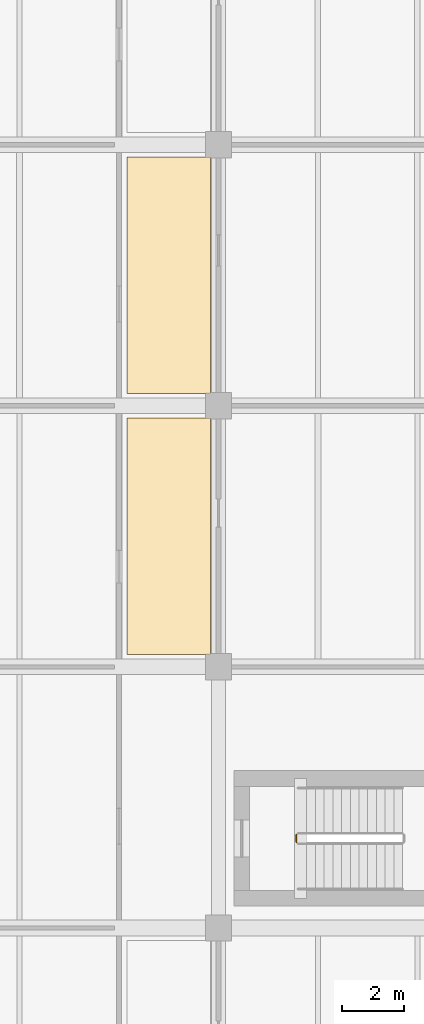
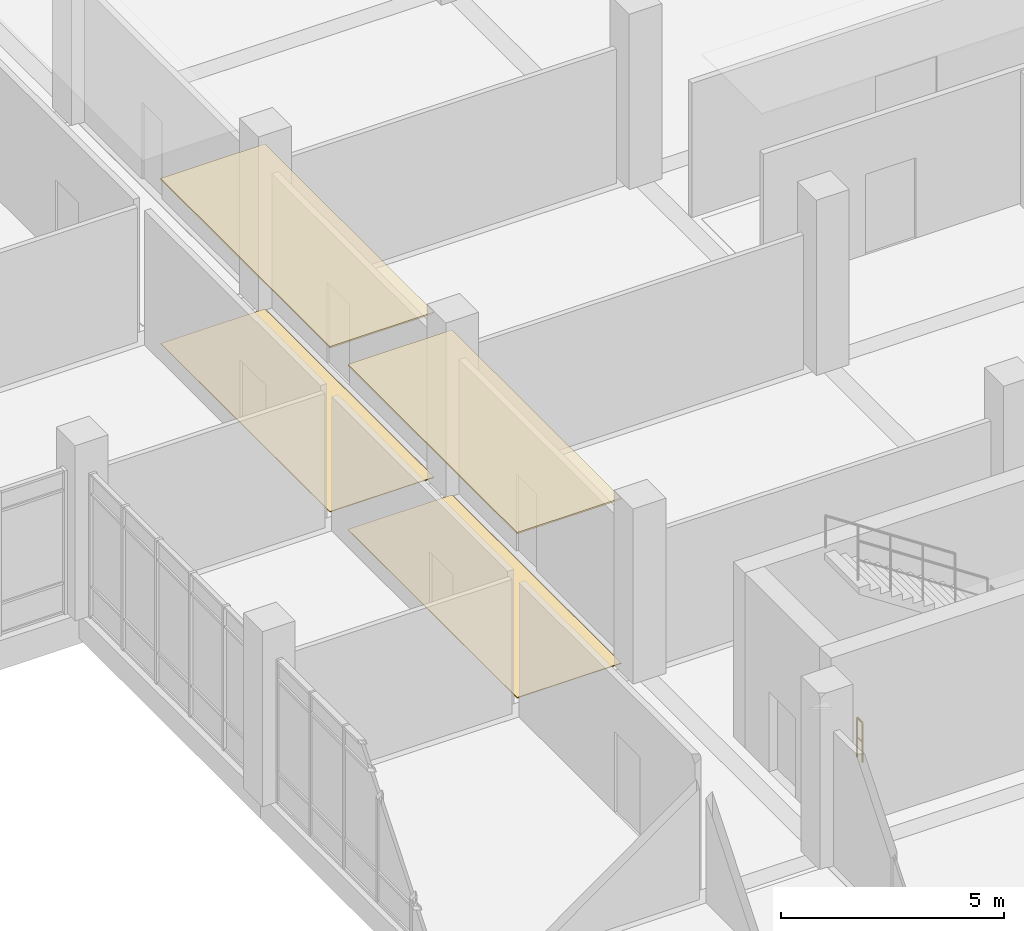
# One storey, part 141 of 152: 4 coverings, 1 railing.
"""IFC4 building model written with IfcOpenShell, lengths in metres."""

from ifc_helpers import new_model, si_unit, direction, frame, origin, origin_2d, place, context, subcontext, project, spatial, polyline, circle, outline, extrude, material, layer, layer_set, type_object, element, save


model = new_model("IFC4")

# Units and contexts
model_context = context("Model", 3, precision=1e-05, world=origin(), true_north=direction((0.0, 1.0)))
body_context = subcontext(model_context, "Body", "Model", "MODEL_VIEW")
ifc_project = project(units=[si_unit("LENGTHUNIT", "METRE"), si_unit("AREAUNIT", "SQUARE_METRE"), si_unit("VOLUMEUNIT", "CUBIC_METRE"), si_unit("PLANEANGLEUNIT", "RADIAN"), si_unit("MASSUNIT", "GRAM", prefix="KILO")], contexts=[model_context])

# Site, building, storey
site_placement = place(None, origin())
site = spatial("IfcSite", under=ifc_project, at=site_placement, CompositionType="ELEMENT")
building_placement = place(site_placement, origin())
building = spatial("IfcBuilding", under=site, at=building_placement, Name="Oolite Switchyard Hospital", CompositionType="ELEMENT")
storey_placement = place(building_placement, frame((0.0, 0.0, 5.10009765625)))
storey = spatial("IfcBuildingStorey", under=building, at=storey_placement, Name="L01", CompositionType="ELEMENT", Elevation=5.10009765625)

# Coverings
ifc_material_1 = material(Name="Hygienic washable mineral-fibre acoustic ceiling")
ifc_layer_1 = layer(ifc_material_1, 0.0400390625)
ifc_layer_set_1 = layer_set([ifc_layer_1], Name="COV-CEIL-AC60")
covering_type_1 = type_object("IfcCoveringType", Name="COV-CEIL-AC60", PredefinedType="CEILING", material=ifc_layer_set_1)
covering_1_placement = place(storey_placement, frame((0.0, 0.0, 4.5)))
element("IfcCovering", 1, at=covering_1_placement, inside=storey, type_object=covering_type_1, Name="L01 East Cloister Perioperative Corridor L01 Ceiling 6", PredefinedType="CEILING", context=body_context, shape_type="SweptSolid", body=[
    extrude(outline(polyline([(121.85009765625, 76.0), (124.550048828125, 76.0), (124.550048828125, 83.60009765625), (121.85009765625, 83.60009765625), (121.85009765625, 76.0)])), origin(), (0.0, 0.0, 1.0), 0.039794921875),
])
covering_2_placement = place(storey_placement, frame((0.0, 0.0, 4.5)))
element("IfcCovering", 2, at=covering_2_placement, inside=storey, type_object=covering_type_1, Name="L01 East Cloister Perioperative Corridor L01 Ceiling 7", PredefinedType="CEILING", context=body_context, shape_type="SweptSolid", body=[
    extrude(outline(polyline([(121.85009765625, 84.39990234375), (124.550048828125, 84.39990234375), (124.550048828125, 92.0), (121.85009765625, 92.0), (121.85009765625, 84.39990234375)])), origin(), (0.0, 0.0, 1.0), 0.039794921875),
])
ifc_material_2 = material(Name="Epoxy terrazzo seamless clinical flooring")
ifc_layer_2 = layer(ifc_material_2, 0.02001953125)
ifc_layer_set_2 = layer_set([ifc_layer_2], Name="COV-FLR-TER20")
covering_type_2 = type_object("IfcCoveringType", Name="COV-FLR-TER20", PredefinedType="FLOORING", material=ifc_layer_set_2)
covering_3_placement = place(storey_placement, origin())
element("IfcCovering", 3, at=covering_3_placement, inside=storey, type_object=covering_type_2, Name="L01 East Cloister Perioperative Corridor L01 Flooring 6", PredefinedType="FLOORING", context=body_context, shape_type="SweptSolid", body=[
    extrude(outline(polyline([(121.85009765625, 76.0), (124.550048828125, 76.0), (124.550048828125, 83.60009765625), (121.85009765625, 83.60009765625), (121.85009765625, 76.0)])), origin(), (0.0, 0.0, 1.0), 0.02001953125),
])
covering_4_placement = place(storey_placement, origin())
element("IfcCovering", 4, at=covering_4_placement, inside=storey, type_object=covering_type_2, Name="L01 East Cloister Perioperative Corridor L01 Flooring 7", PredefinedType="FLOORING", context=body_context, shape_type="SweptSolid", body=[
    extrude(outline(polyline([(121.85009765625, 84.39990234375), (124.550048828125, 84.39990234375), (124.550048828125, 92.0), (121.85009765625, 92.0), (121.85009765625, 84.39990234375)])), origin(), (0.0, 0.0, 1.0), 0.02001953125),
])

# Railing
ifc_material_3 = material(Name="Galvanized painted architectural steel handrail", Category="steel")
railing_type = type_object("IfcRailingType", Name="RL-STAIR-GRD", PredefinedType="GUARDRAIL", material=ifc_material_3)
railing_placement = place(storey_placement, frame((127.31005859375, 69.9599609375, 0.0)))
element("IfcRailing", 5, at=railing_placement, inside=storey, type_object=railing_type, Name="L01 ST-10 stair guard 4", PredefinedType="GUARDRAIL", context=body_context, shape_type="SweptSolid", body=[
    extrude(circle(Radius=0.02392578125, at=origin_2d()), frame((0.0, 0.0, 1.076171875), z_axis=(0.0, 1.0, 0.0), x_axis=(-1.0, 0.0, 0.0)), (0.0, 0.0, 1.0), 0.239990234375),
    extrude(circle(Radius=0.015625, at=origin_2d()), frame((0.0, 0.0, 0.550048828125), z_axis=(0.0, 1.0, 0.0), x_axis=(-1.0, 0.0, 0.0)), (0.0, 0.0, 1.0), 0.239990234375),
    extrude(circle(Radius=0.02099609375, at=origin_2d()), origin(), (0.0, 0.0, 1.0), 1.052001953125),
    extrude(circle(Radius=0.02099609375, at=origin_2d()), frame((0.0, 0.239990234375, 0.0)), (0.0, 0.0, 1.0), 1.052001953125),
])

save(model, "model.ifc")
